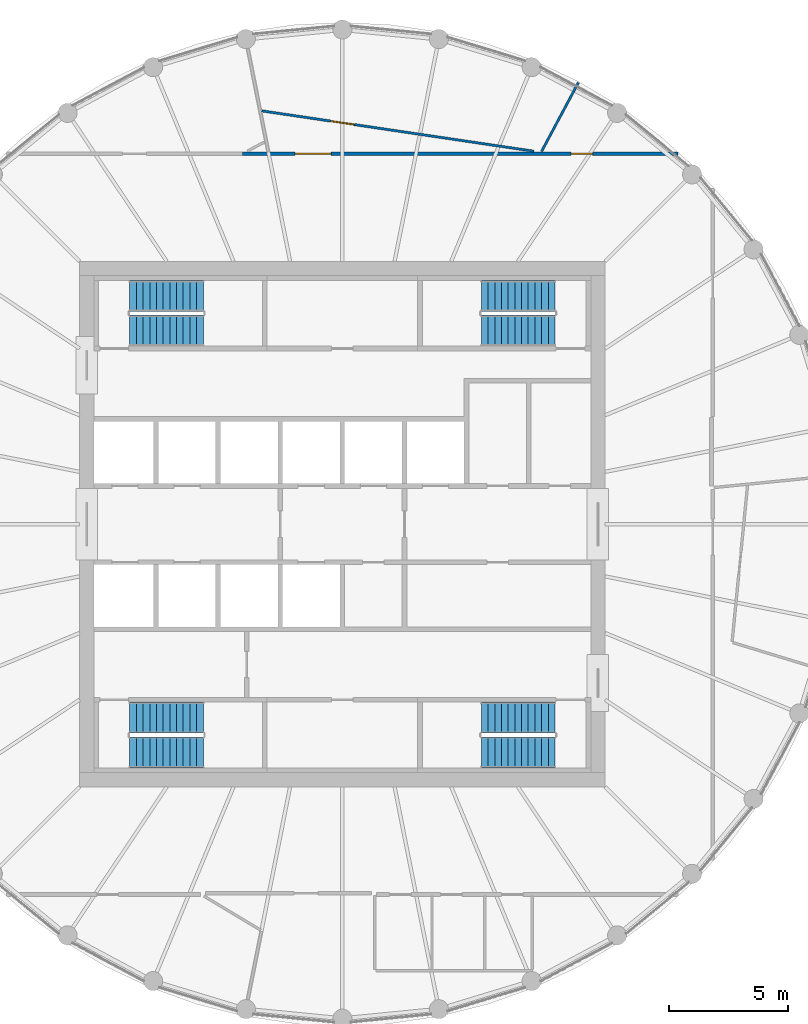
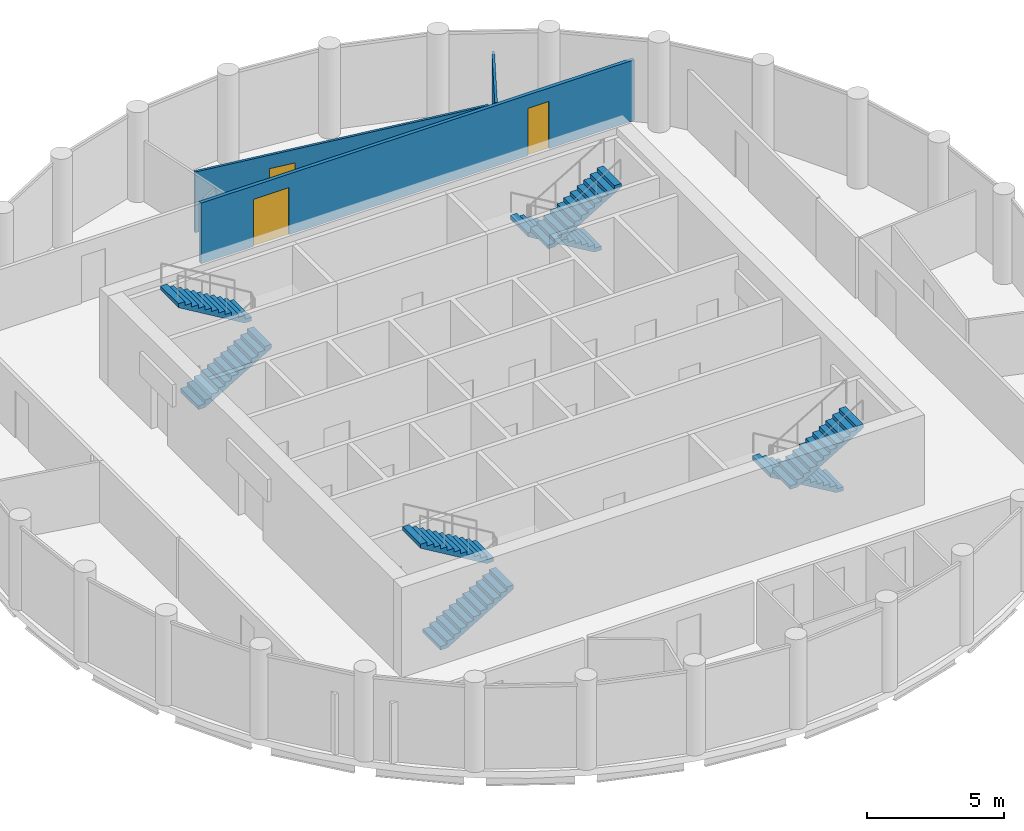
# One storey, part 6 of 7: 8 stair flights, 3 doors, 3 walls, 3 openings, 4 elements without a shape of their own.
"""IFC4 building model written with IfcOpenShell, lengths in metres."""

from ifc_helpers import new_model, si_unit, direction, frame, frame_2d, origin, place, context, subcontext, project, spatial, polyline, rectangle, outline, extrude, material, layer, layer_set, type_object, element, fill, aggregate, save


model = new_model("IFC4")

# Units and contexts
model_context = context("Model", 3, precision=1e-05, world=origin(), true_north=direction((0.0, 1.0)))
body_context = subcontext(model_context, "Body", "Model", "MODEL_VIEW")
ifc_project = project(units=[si_unit("LENGTHUNIT", "METRE"), si_unit("AREAUNIT", "SQUARE_METRE"), si_unit("VOLUMEUNIT", "CUBIC_METRE"), si_unit("PLANEANGLEUNIT", "RADIAN"), si_unit("MASSUNIT", "GRAM", prefix="KILO")], contexts=[model_context])

# Site, building, storey
site_placement = place(None, origin())
site = spatial("IfcSite", under=ifc_project, at=site_placement, CompositionType="ELEMENT")
building_placement = place(site_placement, origin())
building = spatial("IfcBuilding", under=site, at=building_placement, Name="Corvane Civic Tower", CompositionType="ELEMENT")
storey_placement = place(building_placement, frame((0.0, 0.0, 336.5)))
storey = spatial("IfcBuildingStorey", under=building, at=storey_placement, Name="L80", CompositionType="ELEMENT", Elevation=336.5)

# Wall, opening, door
ifc_material_1 = material(Name="Plasterboard")
ifc_layer_1 = layer(ifc_material_1, 0.10009765625)
ifc_layer_set_1 = layer_set([ifc_layer_1], Name="Plasterboard")
wall_type_1 = type_object("IfcWallType", Name="Partition 100 plasterboard on studs", PredefinedType="PARTITIONING", material=ifc_layer_set_1)
wall_1_placement = place(storey_placement, frame((-3.372314453125, 17.296875, 0.0), z_axis=(0.0, 0.0, 1.0), x_axis=(0.989176121622, -0.146733092425, 0.0)))
wall_1 = element("IfcWall", 1, at=wall_1_placement, inside=storey, type_object=wall_type_1, Name="Partition L80.023", PredefinedType="PARTITIONING", context=body_context, shape_type="SweptSolid", body=[
    extrude(rectangle(XDim=11.513671875, YDim=0.10009765625, at=frame_2d((5.7568359375, 0.0))), origin(), (0.0, 0.0, 1.0), 2.699951171875),
])
opening_1_placement = place(wall_1_placement, frame((2.91748046875, 0.0, 0.0)))
opening_1 = element("IfcOpeningElement", 2, at=opening_1_placement, cuts=wall_1, Name="Opening L80.005", PredefinedType="OPENING", context=body_context, shape_type="SweptSolid", body=[
    extrude(rectangle(XDim=1.0, YDim=2.10009765625, at=frame_2d((0.5, 1.050048828125))), frame((0.0, 0.06005859375, 0.0), z_axis=(0.0, -1.0, 0.0), x_axis=(1.0, 0.0, 0.0)), (0.0, 0.0, 1.0), 0.1201171875),
])
ifc_material_2 = material(Name="Timber", Category="wood")
door_type_1 = type_object("IfcDoorType", Name="Single door 1000", OperationType="NOTDEFINED", PredefinedType="DOOR", material=ifc_material_2)
door_1_placement = place(opening_1_placement, origin())
door_1 = element("IfcDoor", 3, at=door_1_placement, inside=storey, type_object=door_type_1, Name="Door L80.005", OperationType="SINGLE_SWING_LEFT", OverallHeight=2.10009765625, OverallWidth=1.0, PredefinedType="DOOR", context=body_context, shape_type="SweptSolid", body=[
    extrude(rectangle(XDim=1.0, YDim=2.10009765625, at=frame_2d((0.5, 1.050048828125))), frame((0.0, 0.02490234375, 0.0), z_axis=(0.0, -1.0, 0.0), x_axis=(1.0, 0.0, 0.0)), (0.0, 0.0, 1.0), 0.050048828125),
])
fill(opening_1, door_1)

# Wall
wall_2_placement = place(storey_placement, frame((8.337646484375, 15.5986328125, 0.0), z_axis=(0.0, 0.0, 1.0), x_axis=(0.471438475103, 0.881898953505, 0.0)))
element("IfcWall", 4, at=wall_2_placement, inside=storey, type_object=wall_type_1, Name="Partition L80.025", PredefinedType="PARTITIONING", context=body_context, shape_type="SweptSolid", body=[
    extrude(rectangle(XDim=3.262939453125, YDim=0.10009765625, at=frame_2d((1.63134765625, 0.0))), origin(), (0.0, 0.0, 1.0), 2.699951171875),
])

# Wall, openings, doors
ifc_material_3 = material(Name="Plasterboard")
ifc_layer_2 = layer(ifc_material_3, 0.14990234375)
ifc_layer_set_2 = layer_set([ifc_layer_2], Name="Plasterboard")
wall_type_2 = type_object("IfcWallType", Name="Tenancy wall 150 EI 60", PredefinedType="PARTITIONING", material=ifc_layer_set_2)
wall_3_placement = place(storey_placement, frame((-4.181396484375, 15.5, 0.0), z_axis=(0.0, 0.0, 1.0), x_axis=(1.0, 0.0, 0.0)))
wall_3 = element("IfcWall", 5, at=wall_3_placement, inside=storey, type_object=wall_type_2, Name="Partition L80.022", PredefinedType="PARTITIONING", context=body_context, shape_type="SweptSolid", body=[
    extrude(rectangle(XDim=18.238525390625, YDim=0.14990234375, at=frame_2d((9.119140625, 0.0))), origin(), (0.0, 0.0, 1.0), 2.699951171875),
])
opening_2_placement = place(wall_3_placement, frame((2.2080078125, 0.0, 0.0)))
opening_2 = element("IfcOpeningElement", 6, at=opening_2_placement, cuts=wall_3, Name="Opening L80.006", PredefinedType="OPENING", context=body_context, shape_type="SweptSolid", body=[
    extrude(rectangle(XDim=1.5, YDim=2.10009765625, at=frame_2d((0.75, 1.050048828125))), frame((0.0, 0.0849609375, 0.0), z_axis=(0.0, -1.0, 0.0), x_axis=(1.0, 0.0, 0.0)), (0.0, 0.0, 1.0), 0.169921875),
])
opening_3_placement = place(wall_3_placement, frame((13.75244140625, 0.0, 0.0)))
opening_3 = element("IfcOpeningElement", 7, at=opening_3_placement, cuts=wall_3, Name="Opening L80.008", PredefinedType="OPENING", context=body_context, shape_type="SweptSolid", body=[
    extrude(rectangle(XDim=0.89990234375, YDim=2.10009765625, at=frame_2d((0.449951171875, 1.050048828125))), frame((0.0, 0.0849609375, 0.0), z_axis=(0.0, -1.0, 0.0), x_axis=(1.0, 0.0, 0.0)), (0.0, 0.0, 1.0), 0.169921875),
])
ifc_material_4 = material(Name="Steel and timber", Category="steel")
door_type_2 = type_object("IfcDoorType", Name="Fire door FD30S 900", OperationType="NOTDEFINED", PredefinedType="DOOR", material=ifc_material_4)
door_2_placement = place(opening_3_placement, origin())
door_2 = element("IfcDoor", 8, at=door_2_placement, inside=storey, type_object=door_type_2, Name="Door L80.008", OperationType="SINGLE_SWING_LEFT", OverallHeight=2.10009765625, OverallWidth=0.89990234375, PredefinedType="DOOR", context=body_context, shape_type="SweptSolid", body=[
    extrude(rectangle(XDim=0.89990234375, YDim=2.10009765625, at=frame_2d((0.449951171875, 1.050048828125))), frame((0.0, 0.02490234375, 0.0), z_axis=(0.0, -1.0, 0.0), x_axis=(1.0, 0.0, 0.0)), (0.0, 0.0, 1.0), 0.050048828125),
])
fill(opening_3, door_2)
ifc_material_5 = material(Name="Steel and timber", Category="steel")
door_type_3 = type_object("IfcDoorType", Name="Fire door FD60 double 1500", OperationType="NOTDEFINED", PredefinedType="DOOR", material=ifc_material_5)
door_3_placement = place(opening_2_placement, origin())
door_3 = element("IfcDoor", 9, at=door_3_placement, inside=storey, type_object=door_type_3, Name="Door L80.006", OperationType="DOUBLE_DOOR_SINGLE_SWING", OverallHeight=2.10009765625, OverallWidth=1.5, PredefinedType="DOOR", context=body_context, shape_type="SweptSolid", body=[
    extrude(rectangle(XDim=1.5, YDim=2.10009765625, at=frame_2d((0.75, 1.050048828125))), frame((0.0, 0.02490234375, 0.0), z_axis=(0.0, -1.0, 0.0), x_axis=(1.0, 0.0, 0.0)), (0.0, 0.0, 1.0), 0.050048828125),
])
fill(opening_2, door_3)

# Stair, stair flights
ifc_material_6 = material(Name="Concrete C40/50", Category="concrete")
stair_type = type_object("IfcStairType", Name="ST-STAIR-HALFTURN", PredefinedType="HALF_TURN_STAIR", material=ifc_material_6)
stair_1_placement = place(storey_placement, origin())
stair_1 = element("IfcStair", 10, at=stair_1_placement, inside=storey, type_object=stair_type, Name="L80 Exit stair ST1", PredefinedType="HALF_TURN_STAIR")
ifc_material_7 = material(Name="Concrete C40/50", Category="concrete")
stair_flight_type = type_object("IfcStairFlightType", Name="ST-FLIGHT-RC", PredefinedType="STRAIGHT", material=ifc_material_7)
stair_flight_1_placement = place(storey_placement, frame((8.89990234375, 9.550048828125, 0.0), z_axis=(0.0, 0.0, 1.0), x_axis=(-1.0, 0.0, 0.0)))
stair_flight_1 = element("IfcStairFlight", 11, at=stair_flight_1_placement, type_object=stair_flight_type, Name="ST1 flight 1", NumberOfRisers=12, NumberOfTreads=11, PredefinedType="STRAIGHT", RiserHeight=0.166666667, TreadLength=0.28, context=body_context, shape_type="SweptSolid", body=[
    extrude(outline(polyline([(0.0, 0.0), (0.0, 0.166748046875), (0.280029296875, 0.166748046875), (0.280029296875, 0.333251953125), (0.56005859375, 0.333251953125), (0.56005859375, 0.5), (0.840087890625, 0.5), (0.840087890625, 0.666748046875), (1.1201171875, 0.666748046875), (1.1201171875, 0.833251953125), (1.39990234375, 0.833251953125), (1.39990234375, 1.0), (1.679931640625, 1.0), (1.679931640625, 1.166748046875), (1.9599609375, 1.166748046875), (1.9599609375, 1.333251953125), (2.239990234375, 1.333251953125), (2.239990234375, 1.5), (2.52001953125, 1.5), (2.52001953125, 1.666748046875), (2.800048828125, 1.666748046875), (2.800048828125, 1.833251953125), (3.080078125, 1.833251953125), (3.080078125, 2.0), (3.080078125, 1.658935546875), (0.29296875, 0.0), (0.0, 0.0)])), frame((0.0, 0.64990234375, 0.0), z_axis=(0.0, -1.0, 0.0), x_axis=(1.0, 0.0, 0.0)), (0.0, 0.0, 1.0), 1.300048828125),
])
stair_flight_2_placement = place(storey_placement, frame((5.820068359375, 8.10009765625, 2.0), z_axis=(0.0, 0.0, 1.0), x_axis=(1.0, 0.0, 0.0)))
stair_flight_2 = element("IfcStairFlight", 12, at=stair_flight_2_placement, type_object=stair_flight_type, Name="ST1 flight 2", NumberOfRisers=12, NumberOfTreads=11, PredefinedType="STRAIGHT", RiserHeight=0.166666667, TreadLength=0.28, context=body_context, shape_type="SweptSolid", body=[
    extrude(outline(polyline([(0.0, 0.0), (0.0, 0.166748046875), (0.280029296875, 0.166748046875), (0.280029296875, 0.333251953125), (0.56005859375, 0.333251953125), (0.56005859375, 0.5), (0.840087890625, 0.5), (0.840087890625, 0.666748046875), (1.1201171875, 0.666748046875), (1.1201171875, 0.833251953125), (1.39990234375, 0.833251953125), (1.39990234375, 1.0), (1.679931640625, 1.0), (1.679931640625, 1.166748046875), (1.9599609375, 1.166748046875), (1.9599609375, 1.333251953125), (2.239990234375, 1.333251953125), (2.239990234375, 1.5), (2.52001953125, 1.5), (2.52001953125, 1.666748046875), (2.800048828125, 1.666748046875), (2.800048828125, 1.833251953125), (3.080078125, 1.833251953125), (3.080078125, 2.0), (3.080078125, 1.658935546875), (0.29296875, 0.0), (0.0, 0.0)])), frame((0.0, 0.64990234375, 0.0), z_axis=(0.0, -1.0, 0.0), x_axis=(1.0, 0.0, 0.0)), (0.0, 0.0, 1.0), 1.300048828125),
])
aggregate(stair_1, [stair_flight_1, stair_flight_2])

stair_2_placement = place(storey_placement, origin())
stair_2 = element("IfcStair", 13, at=stair_2_placement, inside=storey, type_object=stair_type, Name="L80 Exit stair ST2", PredefinedType="HALF_TURN_STAIR")
stair_flight_3_placement = place(storey_placement, frame((8.89990234375, -8.10009765625, 0.0), z_axis=(0.0, 0.0, 1.0), x_axis=(-1.0, 0.0, 0.0)))
stair_flight_3 = element("IfcStairFlight", 14, at=stair_flight_3_placement, type_object=stair_flight_type, Name="ST2 flight 1", NumberOfRisers=12, NumberOfTreads=11, PredefinedType="STRAIGHT", RiserHeight=0.166666667, TreadLength=0.28, context=body_context, shape_type="SweptSolid", body=[
    extrude(outline(polyline([(0.0, 0.0), (0.0, 0.166748046875), (0.280029296875, 0.166748046875), (0.280029296875, 0.333251953125), (0.56005859375, 0.333251953125), (0.56005859375, 0.5), (0.840087890625, 0.5), (0.840087890625, 0.666748046875), (1.1201171875, 0.666748046875), (1.1201171875, 0.833251953125), (1.39990234375, 0.833251953125), (1.39990234375, 1.0), (1.679931640625, 1.0), (1.679931640625, 1.166748046875), (1.9599609375, 1.166748046875), (1.9599609375, 1.333251953125), (2.239990234375, 1.333251953125), (2.239990234375, 1.5), (2.52001953125, 1.5), (2.52001953125, 1.666748046875), (2.800048828125, 1.666748046875), (2.800048828125, 1.833251953125), (3.080078125, 1.833251953125), (3.080078125, 2.0), (3.080078125, 1.658935546875), (0.29296875, 0.0), (0.0, 0.0)])), frame((0.0, 0.64990234375, 0.0), z_axis=(0.0, -1.0, 0.0), x_axis=(1.0, 0.0, 0.0)), (0.0, 0.0, 1.0), 1.300048828125),
])
stair_flight_4_placement = place(storey_placement, frame((5.820068359375, -9.550048828125, 2.0), z_axis=(0.0, 0.0, 1.0), x_axis=(1.0, 0.0, 0.0)))
stair_flight_4 = element("IfcStairFlight", 15, at=stair_flight_4_placement, type_object=stair_flight_type, Name="ST2 flight 2", NumberOfRisers=12, NumberOfTreads=11, PredefinedType="STRAIGHT", RiserHeight=0.166666667, TreadLength=0.28, context=body_context, shape_type="SweptSolid", body=[
    extrude(outline(polyline([(0.0, 0.0), (0.0, 0.166748046875), (0.280029296875, 0.166748046875), (0.280029296875, 0.333251953125), (0.56005859375, 0.333251953125), (0.56005859375, 0.5), (0.840087890625, 0.5), (0.840087890625, 0.666748046875), (1.1201171875, 0.666748046875), (1.1201171875, 0.833251953125), (1.39990234375, 0.833251953125), (1.39990234375, 1.0), (1.679931640625, 1.0), (1.679931640625, 1.166748046875), (1.9599609375, 1.166748046875), (1.9599609375, 1.333251953125), (2.239990234375, 1.333251953125), (2.239990234375, 1.5), (2.52001953125, 1.5), (2.52001953125, 1.666748046875), (2.800048828125, 1.666748046875), (2.800048828125, 1.833251953125), (3.080078125, 1.833251953125), (3.080078125, 2.0), (3.080078125, 1.658935546875), (0.29296875, 0.0), (0.0, 0.0)])), frame((0.0, 0.64990234375, 0.0), z_axis=(0.0, -1.0, 0.0), x_axis=(1.0, 0.0, 0.0)), (0.0, 0.0, 1.0), 1.300048828125),
])
aggregate(stair_2, [stair_flight_3, stair_flight_4])

stair_3_placement = place(storey_placement, origin())
stair_3 = element("IfcStair", 16, at=stair_3_placement, inside=storey, type_object=stair_type, Name="L80 Exit stair ST3", PredefinedType="HALF_TURN_STAIR")
stair_flight_5_placement = place(storey_placement, frame((-8.89990234375, -9.550048828125, 0.0), z_axis=(0.0, 0.0, 1.0), x_axis=(1.0, 0.0, 0.0)))
stair_flight_5 = element("IfcStairFlight", 17, at=stair_flight_5_placement, type_object=stair_flight_type, Name="ST3 flight 1", NumberOfRisers=12, NumberOfTreads=11, PredefinedType="STRAIGHT", RiserHeight=0.166666667, TreadLength=0.28, context=body_context, shape_type="SweptSolid", body=[
    extrude(outline(polyline([(0.0, 0.0), (0.0, 0.166748046875), (0.280029296875, 0.166748046875), (0.280029296875, 0.333251953125), (0.56005859375, 0.333251953125), (0.56005859375, 0.5), (0.840087890625, 0.5), (0.840087890625, 0.666748046875), (1.1201171875, 0.666748046875), (1.1201171875, 0.833251953125), (1.39990234375, 0.833251953125), (1.39990234375, 1.0), (1.679931640625, 1.0), (1.679931640625, 1.166748046875), (1.9599609375, 1.166748046875), (1.9599609375, 1.333251953125), (2.239990234375, 1.333251953125), (2.239990234375, 1.5), (2.52001953125, 1.5), (2.52001953125, 1.666748046875), (2.800048828125, 1.666748046875), (2.800048828125, 1.833251953125), (3.080078125, 1.833251953125), (3.080078125, 2.0), (3.080078125, 1.658935546875), (0.29296875, 0.0), (0.0, 0.0)])), frame((0.0, 0.64990234375, 0.0), z_axis=(0.0, -1.0, 0.0), x_axis=(1.0, 0.0, 0.0)), (0.0, 0.0, 1.0), 1.300048828125),
])
stair_flight_6_placement = place(storey_placement, frame((-5.820068359375, -8.10009765625, 2.0), z_axis=(0.0, 0.0, 1.0), x_axis=(-1.0, 0.0, 0.0)))
stair_flight_6 = element("IfcStairFlight", 18, at=stair_flight_6_placement, type_object=stair_flight_type, Name="ST3 flight 2", NumberOfRisers=12, NumberOfTreads=11, PredefinedType="STRAIGHT", RiserHeight=0.166666667, TreadLength=0.28, context=body_context, shape_type="SweptSolid", body=[
    extrude(outline(polyline([(0.0, 0.0), (0.0, 0.166748046875), (0.280029296875, 0.166748046875), (0.280029296875, 0.333251953125), (0.56005859375, 0.333251953125), (0.56005859375, 0.5), (0.840087890625, 0.5), (0.840087890625, 0.666748046875), (1.1201171875, 0.666748046875), (1.1201171875, 0.833251953125), (1.39990234375, 0.833251953125), (1.39990234375, 1.0), (1.679931640625, 1.0), (1.679931640625, 1.166748046875), (1.9599609375, 1.166748046875), (1.9599609375, 1.333251953125), (2.239990234375, 1.333251953125), (2.239990234375, 1.5), (2.52001953125, 1.5), (2.52001953125, 1.666748046875), (2.800048828125, 1.666748046875), (2.800048828125, 1.833251953125), (3.080078125, 1.833251953125), (3.080078125, 2.0), (3.080078125, 1.658935546875), (0.29296875, 0.0), (0.0, 0.0)])), frame((0.0, 0.64990234375, 0.0), z_axis=(0.0, -1.0, 0.0), x_axis=(1.0, 0.0, 0.0)), (0.0, 0.0, 1.0), 1.300048828125),
])
aggregate(stair_3, [stair_flight_5, stair_flight_6])

stair_4_placement = place(storey_placement, origin())
stair_4 = element("IfcStair", 19, at=stair_4_placement, inside=storey, type_object=stair_type, Name="L80 Exit stair ST4", PredefinedType="HALF_TURN_STAIR")
stair_flight_7_placement = place(storey_placement, frame((-8.89990234375, 8.10009765625, 0.0), z_axis=(0.0, 0.0, 1.0), x_axis=(1.0, 0.0, 0.0)))
stair_flight_7 = element("IfcStairFlight", 20, at=stair_flight_7_placement, type_object=stair_flight_type, Name="ST4 flight 1", NumberOfRisers=12, NumberOfTreads=11, PredefinedType="STRAIGHT", RiserHeight=0.166666667, TreadLength=0.28, context=body_context, shape_type="SweptSolid", body=[
    extrude(outline(polyline([(0.0, 0.0), (0.0, 0.166748046875), (0.280029296875, 0.166748046875), (0.280029296875, 0.333251953125), (0.56005859375, 0.333251953125), (0.56005859375, 0.5), (0.840087890625, 0.5), (0.840087890625, 0.666748046875), (1.1201171875, 0.666748046875), (1.1201171875, 0.833251953125), (1.39990234375, 0.833251953125), (1.39990234375, 1.0), (1.679931640625, 1.0), (1.679931640625, 1.166748046875), (1.9599609375, 1.166748046875), (1.9599609375, 1.333251953125), (2.239990234375, 1.333251953125), (2.239990234375, 1.5), (2.52001953125, 1.5), (2.52001953125, 1.666748046875), (2.800048828125, 1.666748046875), (2.800048828125, 1.833251953125), (3.080078125, 1.833251953125), (3.080078125, 2.0), (3.080078125, 1.658935546875), (0.29296875, 0.0), (0.0, 0.0)])), frame((0.0, 0.64990234375, 0.0), z_axis=(0.0, -1.0, 0.0), x_axis=(1.0, 0.0, 0.0)), (0.0, 0.0, 1.0), 1.300048828125),
])
stair_flight_8_placement = place(storey_placement, frame((-5.820068359375, 9.550048828125, 2.0), z_axis=(0.0, 0.0, 1.0), x_axis=(-1.0, 0.0, 0.0)))
stair_flight_8 = element("IfcStairFlight", 21, at=stair_flight_8_placement, type_object=stair_flight_type, Name="ST4 flight 2", NumberOfRisers=12, NumberOfTreads=11, PredefinedType="STRAIGHT", RiserHeight=0.166666667, TreadLength=0.28, context=body_context, shape_type="SweptSolid", body=[
    extrude(outline(polyline([(0.0, 0.0), (0.0, 0.166748046875), (0.280029296875, 0.166748046875), (0.280029296875, 0.333251953125), (0.56005859375, 0.333251953125), (0.56005859375, 0.5), (0.840087890625, 0.5), (0.840087890625, 0.666748046875), (1.1201171875, 0.666748046875), (1.1201171875, 0.833251953125), (1.39990234375, 0.833251953125), (1.39990234375, 1.0), (1.679931640625, 1.0), (1.679931640625, 1.166748046875), (1.9599609375, 1.166748046875), (1.9599609375, 1.333251953125), (2.239990234375, 1.333251953125), (2.239990234375, 1.5), (2.52001953125, 1.5), (2.52001953125, 1.666748046875), (2.800048828125, 1.666748046875), (2.800048828125, 1.833251953125), (3.080078125, 1.833251953125), (3.080078125, 2.0), (3.080078125, 1.658935546875), (0.29296875, 0.0), (0.0, 0.0)])), frame((0.0, 0.64990234375, 0.0), z_axis=(0.0, -1.0, 0.0), x_axis=(1.0, 0.0, 0.0)), (0.0, 0.0, 1.0), 1.300048828125),
])
aggregate(stair_4, [stair_flight_7, stair_flight_8])

save(model, "model.ifc")
